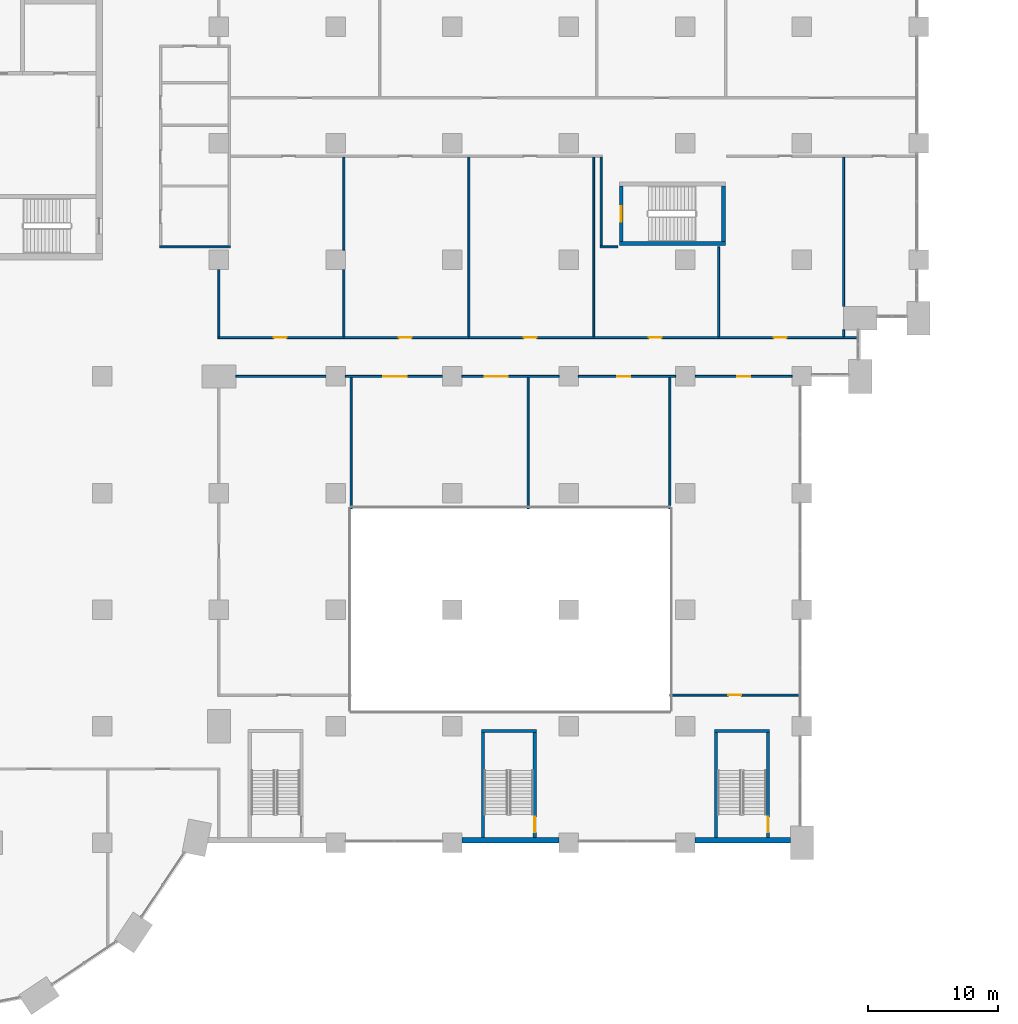
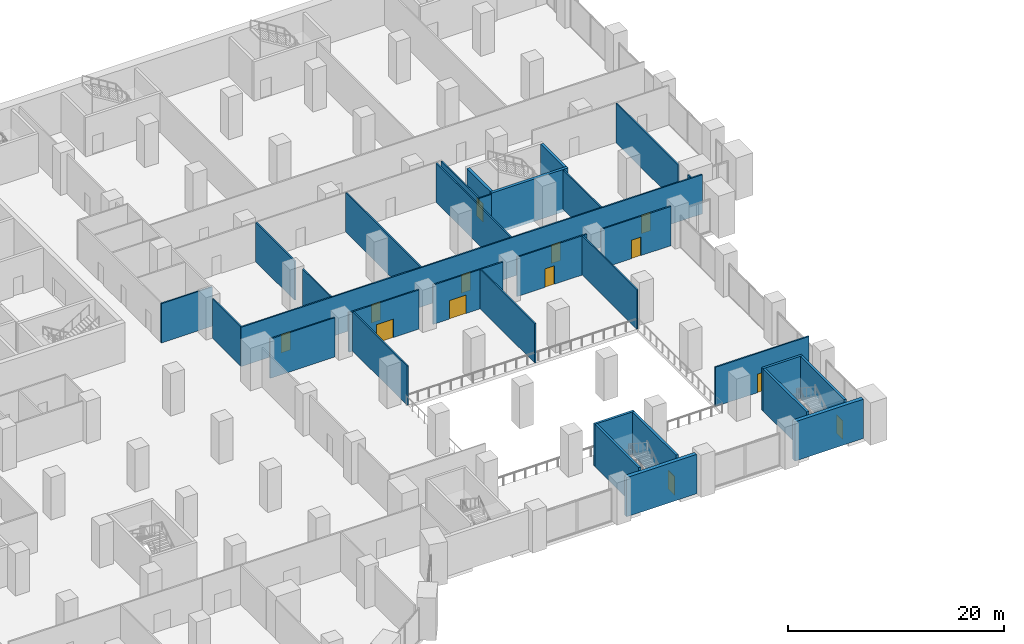
# One storey, part 25 of 49: 32 walls, 13 doors, 13 openings.
"""IFC4 building model written with IfcOpenShell, lengths in metres."""

from ifc_helpers import new_model, si_unit, direction, frame, frame_2d, origin, place, context, subcontext, project, spatial, rectangle, extrude, material, layer, layer_set, type_object, element, fill, save


model = new_model("IFC4")

# Units and contexts
model_context = context("Model", 3, precision=1e-05, world=origin(), true_north=direction((0.0, 1.0)))
body_context = subcontext(model_context, "Body", "Model", "MODEL_VIEW")
ifc_project = project(units=[si_unit("LENGTHUNIT", "METRE"), si_unit("AREAUNIT", "SQUARE_METRE"), si_unit("VOLUMEUNIT", "CUBIC_METRE"), si_unit("PLANEANGLEUNIT", "RADIAN"), si_unit("MASSUNIT", "GRAM", prefix="KILO")], contexts=[model_context])

# Site, building, storey
site_placement = place(None, origin())
site = spatial("IfcSite", under=ifc_project, at=site_placement, CompositionType="ELEMENT")
building_placement = place(site_placement, origin())
building = spatial("IfcBuilding", under=site, at=building_placement, Name="Hunhe Ridgeline Campus", CompositionType="ELEMENT")
storey_placement = place(building_placement, frame((0.0, 0.0, 21.60009765625)))
storey = spatial("IfcBuildingStorey", under=building, at=storey_placement, Name="L04", CompositionType="ELEMENT", Elevation=21.60009765625)

# Walls
ifc_material_1 = material(Name="Plastered blockwork", Category="masonry")
ifc_layer_1 = layer(ifc_material_1, 0.14990234375)
ifc_layer_set_1 = layer_set([ifc_layer_1], Name="Blockwork partition 150")
wall_type_1 = type_object("IfcWallType", Name="Blockwork partition 150", PredefinedType="PARTITIONING", material=ifc_layer_set_1)
wall_1_placement = place(storey_placement, frame((45.875, 64.0, 0.0), z_axis=(0.0, 0.0, 1.0), x_axis=(-1.0, 0.0, 0.0)))
element("IfcWall", 1, at=wall_1_placement, inside=storey, type_object=wall_type_1, Name="L04 partition", PredefinedType="PARTITIONING", context=body_context, shape_type="SweptSolid", body=[
    extrude(rectangle(XDim=5.449951171875, YDim=0.14990234375, at=frame_2d((2.72509765625, 0.0))), origin(), (0.0, 0.0, 1.0), 4.449951171875),
])
wall_2_placement = place(storey_placement, frame((74.425048828125, 64.0, 0.0), z_axis=(0.0, 0.0, 1.0), x_axis=(1.0, 0.0, 0.0)))
element("IfcWall", 2, at=wall_2_placement, inside=storey, type_object=wall_type_1, Name="L04 partition", PredefinedType="PARTITIONING", context=body_context, shape_type="SweptSolid", body=[
    extrude(rectangle(XDim=1.375, YDim=0.14990234375, at=frame_2d((0.6875, 0.0))), origin(), (0.0, 0.0, 1.0), 4.449951171875),
])
wall_3_placement = place(storey_placement, frame((55.199951171875, 43.800048828125, 0.0), z_axis=(0.0, 0.0, 1.0), x_axis=(0.0, 1.0, 0.0)))
element("IfcWall", 3, at=wall_3_placement, inside=storey, type_object=wall_type_1, Name="L04 partition", PredefinedType="PARTITIONING", context=body_context, shape_type="SweptSolid", body=[
    extrude(rectangle(XDim=10.125, YDim=0.14990234375, at=frame_2d((5.0625, 0.0))), origin(), (0.0, 0.0, 1.0), 4.449951171875),
])

# Wall, opening, door
wall_4_placement = place(storey_placement, frame((89.820068359375, 29.39990234375, 0.0), z_axis=(0.0, 0.0, 1.0), x_axis=(-1.0, 0.0, 0.0)))
wall_4 = element("IfcWall", 4, at=wall_4_placement, inside=storey, type_object=wall_type_1, Name="L04 partition", PredefinedType="PARTITIONING", context=body_context, shape_type="SweptSolid", body=[
    extrude(rectangle(XDim=10.02001953125, YDim=0.14990234375, at=frame_2d((5.010009765625, 0.0))), origin(), (0.0, 0.0, 1.0), 4.449951171875),
])
opening_1_placement = place(wall_4_placement, frame((4.52001953125, 0.0, 0.0)))
opening_1 = element("IfcOpeningElement", 5, at=opening_1_placement, cuts=wall_4, Name="Opening PD510", PredefinedType="OPENING", context=body_context, shape_type="SweptSolid", body=[
    extrude(rectangle(XDim=1.0, YDim=2.10009765625, at=frame_2d((0.5, 1.050048828125))), frame((0.0, 0.074951171875, 0.0), z_axis=(0.0, -1.0, 0.0), x_axis=(1.0, 0.0, 0.0)), (0.0, 0.0, 1.0), 0.14990234375),
])
ifc_material_2 = material(Name="Timber", Category="wood")
door_type_1 = type_object("IfcDoorType", Name="Podium timber door 1000x2100", OperationType="NOTDEFINED", PredefinedType="DOOR", material=ifc_material_2)
door_1_placement = place(opening_1_placement, origin())
door_1 = element("IfcDoor", 6, at=door_1_placement, inside=storey, type_object=door_type_1, Name="Closed Stacks door", OperationType="SINGLE_SWING_RIGHT", OverallHeight=2.10009765625, OverallWidth=1.0, PredefinedType="DOOR", context=body_context, shape_type="SweptSolid", body=[
    extrude(rectangle(XDim=1.0, YDim=2.10009765625, at=frame_2d((0.5, 1.050048828125))), frame((0.0, 0.02490234375, 0.0), z_axis=(0.0, -1.0, 0.0), x_axis=(1.0, 0.0, 0.0)), (0.0, 0.0, 1.0), 0.050048828125),
])
fill(opening_1, door_1)

# Walls
wall_5_placement = place(storey_placement, frame((45.0, 57.074951171875, 0.0), z_axis=(0.0, 0.0, 1.0), x_axis=(0.0, 1.0, 0.0)))
element("IfcWall", 7, at=wall_5_placement, inside=storey, type_object=wall_type_1, Name="L04 partition", PredefinedType="PARTITIONING", context=body_context, shape_type="SweptSolid", body=[
    extrude(rectangle(XDim=5.175048828125, YDim=0.14990234375, at=frame_2d((2.58740234375, 0.0))), origin(), (0.0, 0.0, 1.0), 4.449951171875),
])
wall_6_placement = place(storey_placement, frame((46.300048828125, 54.0, 0.0), z_axis=(0.0, 0.0, 1.0), x_axis=(1.0, 0.0, 0.0)))
element("IfcWall", 8, at=wall_6_placement, inside=storey, type_object=wall_type_1, Name="L04 partition", PredefinedType="PARTITIONING", context=body_context, shape_type="SweptSolid", body=[
    extrude(rectangle(XDim=6.949951171875, YDim=0.14990234375, at=frame_2d((3.47509765625, 0.0))), origin(), (0.0, 0.0, 1.0), 4.449951171875),
])

# Wall, opening, door
wall_7_placement = place(storey_placement, frame((54.75, 54.0, 0.0), z_axis=(0.0, 0.0, 1.0), x_axis=(1.0, 0.0, 0.0)))
wall_7 = element("IfcWall", 9, at=wall_7_placement, inside=storey, type_object=wall_type_1, Name="L04 partition", PredefinedType="PARTITIONING", context=body_context, shape_type="SweptSolid", body=[
    extrude(rectangle(XDim=7.5, YDim=0.14990234375, at=frame_2d((3.75, 0.0))), origin(), (0.0, 0.0, 1.0), 4.449951171875),
])
opening_2_placement = place(wall_7_placement, frame((2.949951171875, 0.0, 0.0)))
opening_2 = element("IfcOpeningElement", 10, at=opening_2_placement, cuts=wall_7, Name="Opening PD512", PredefinedType="OPENING", context=body_context, shape_type="SweptSolid", body=[
    extrude(rectangle(XDim=1.800048828125, YDim=2.10009765625, at=frame_2d((0.89990234375, 1.050048828125))), frame((0.0, 0.074951171875, 0.0), z_axis=(0.0, -1.0, 0.0), x_axis=(1.0, 0.0, 0.0)), (0.0, 0.0, 1.0), 0.14990234375),
])
door_type_2 = type_object("IfcDoorType", Name="Podium timber double door 1800x2100", OperationType="NOTDEFINED", PredefinedType="DOOR", material=ifc_material_2)
door_2_placement = place(opening_2_placement, origin())
door_2 = element("IfcDoor", 11, at=door_2_placement, inside=storey, type_object=door_type_2, Name="Special Collections Reading Room door", OperationType="DOUBLE_DOOR_SINGLE_SWING", OverallHeight=2.10009765625, OverallWidth=1.800048828125, PredefinedType="DOOR", context=body_context, shape_type="SweptSolid", body=[
    extrude(rectangle(XDim=1.800048828125, YDim=2.10009765625, at=frame_2d((0.89990234375, 1.050048828125))), frame((0.0, 0.02490234375, 0.0), z_axis=(0.0, -1.0, 0.0), x_axis=(1.0, 0.0, 0.0)), (0.0, 0.0, 1.0), 0.050048828125),
])
fill(opening_2, door_2)

wall_8_placement = place(storey_placement, frame((63.75, 54.0, 0.0), z_axis=(0.0, 0.0, 1.0), x_axis=(1.0, 0.0, 0.0)))
wall_8 = element("IfcWall", 12, at=wall_8_placement, inside=storey, type_object=wall_type_1, Name="L04 partition", PredefinedType="PARTITIONING", context=body_context, shape_type="SweptSolid", body=[
    extrude(rectangle(XDim=7.5, YDim=0.14990234375, at=frame_2d((3.75, 0.0))), origin(), (0.0, 0.0, 1.0), 4.449951171875),
])
opening_3_placement = place(wall_8_placement, frame((1.75, 0.0, 0.0)))
opening_3 = element("IfcOpeningElement", 13, at=opening_3_placement, cuts=wall_8, Name="Opening PD513", PredefinedType="OPENING", context=body_context, shape_type="SweptSolid", body=[
    extrude(rectangle(XDim=1.800048828125, YDim=2.10009765625, at=frame_2d((0.89990234375, 1.050048828125))), frame((0.0, 0.074951171875, 0.0), z_axis=(0.0, -1.0, 0.0), x_axis=(1.0, 0.0, 0.0)), (0.0, 0.0, 1.0), 0.14990234375),
])
door_3_placement = place(opening_3_placement, origin())
door_3 = element("IfcDoor", 14, at=door_3_placement, inside=storey, type_object=door_type_2, Name="Special Collections Reading Room door", OperationType="DOUBLE_DOOR_SINGLE_SWING", OverallHeight=2.10009765625, OverallWidth=1.800048828125, PredefinedType="DOOR", context=body_context, shape_type="SweptSolid", body=[
    extrude(rectangle(XDim=1.800048828125, YDim=2.10009765625, at=frame_2d((0.89990234375, 1.050048828125))), frame((0.0, 0.02490234375, 0.0), z_axis=(0.0, -1.0, 0.0), x_axis=(1.0, 0.0, 0.0)), (0.0, 0.0, 1.0), 0.050048828125),
])
fill(opening_3, door_3)

wall_9_placement = place(storey_placement, frame((72.75, 54.0, 0.0), z_axis=(0.0, 0.0, 1.0), x_axis=(1.0, 0.0, 0.0)))
wall_9 = element("IfcWall", 15, at=wall_9_placement, inside=storey, type_object=wall_type_1, Name="L04 partition", PredefinedType="PARTITIONING", context=body_context, shape_type="SweptSolid", body=[
    extrude(rectangle(XDim=7.5, YDim=0.14990234375, at=frame_2d((3.75, 0.0))), origin(), (0.0, 0.0, 1.0), 4.449951171875),
])
opening_4_placement = place(wall_9_placement, frame((3.0, 0.0, 0.0)))
opening_4 = element("IfcOpeningElement", 16, at=opening_4_placement, cuts=wall_9, Name="Opening PD514", PredefinedType="OPENING", context=body_context, shape_type="SweptSolid", body=[
    extrude(rectangle(XDim=1.0, YDim=2.10009765625, at=frame_2d((0.5, 1.050048828125))), frame((0.0, 0.074951171875, 0.0), z_axis=(0.0, -1.0, 0.0), x_axis=(1.0, 0.0, 0.0)), (0.0, 0.0, 1.0), 0.14990234375),
])
door_4_placement = place(opening_4_placement, origin())
door_4 = element("IfcDoor", 17, at=door_4_placement, inside=storey, type_object=door_type_1, Name="Conservation Studio door", OperationType="SINGLE_SWING_LEFT", OverallHeight=2.10009765625, OverallWidth=1.0, PredefinedType="DOOR", context=body_context, shape_type="SweptSolid", body=[
    extrude(rectangle(XDim=1.0, YDim=2.10009765625, at=frame_2d((0.5, 1.050048828125))), frame((0.0, 0.02490234375, 0.0), z_axis=(0.0, -1.0, 0.0), x_axis=(1.0, 0.0, 0.0)), (0.0, 0.0, 1.0), 0.050048828125),
])
fill(opening_4, door_4)

wall_10_placement = place(storey_placement, frame((81.75, 54.0, 0.0), z_axis=(0.0, 0.0, 1.0), x_axis=(1.0, 0.0, 0.0)))
wall_10 = element("IfcWall", 18, at=wall_10_placement, inside=storey, type_object=wall_type_1, Name="L04 partition", PredefinedType="PARTITIONING", context=body_context, shape_type="SweptSolid", body=[
    extrude(rectangle(XDim=7.5, YDim=0.14990234375, at=frame_2d((3.75, 0.0))), origin(), (0.0, 0.0, 1.0), 4.449951171875),
])
opening_5_placement = place(wall_10_placement, frame((3.25, 0.0, 0.0)))
opening_5 = element("IfcOpeningElement", 19, at=opening_5_placement, cuts=wall_10, Name="Opening PD511", PredefinedType="OPENING", context=body_context, shape_type="SweptSolid", body=[
    extrude(rectangle(XDim=1.0, YDim=2.10009765625, at=frame_2d((0.5, 1.050048828125))), frame((0.0, 0.074951171875, 0.0), z_axis=(0.0, -1.0, 0.0), x_axis=(1.0, 0.0, 0.0)), (0.0, 0.0, 1.0), 0.14990234375),
])
door_5_placement = place(opening_5_placement, origin())
door_5 = element("IfcDoor", 20, at=door_5_placement, inside=storey, type_object=door_type_1, Name="Closed Stacks door", OperationType="SINGLE_SWING_RIGHT", OverallHeight=2.10009765625, OverallWidth=1.0, PredefinedType="DOOR", context=body_context, shape_type="SweptSolid", body=[
    extrude(rectangle(XDim=1.0, YDim=2.10009765625, at=frame_2d((0.5, 1.050048828125))), frame((0.0, 0.02490234375, 0.0), z_axis=(0.0, -1.0, 0.0), x_axis=(1.0, 0.0, 0.0)), (0.0, 0.0, 1.0), 0.050048828125),
])
fill(opening_5, door_5)

# Walls
for number, where, z_axis, x_axis, name in (
    (21, (79.800048828125, 43.800048828125, 0.0), (0.0, 0.0, 1.0), (0.0, 1.0, 0.0), "L04 partition"),
    (22, (68.866943359375, 43.800048828125, 0.0), (0.0, 0.0, 1.0), (0.0, 1.0, 0.0), "L04 partition"),
):
    element("IfcWall", number, at=place(storey_placement, frame(where, z_axis=z_axis, x_axis=x_axis)), inside=storey, type_object=wall_type_1, Name=name, PredefinedType="PARTITIONING", context=body_context, shape_type="SweptSolid", body=[
        extrude(rectangle(XDim=10.125, YDim=0.14990234375, at=frame_2d((5.0625, 0.0))), origin(), (0.0, 0.0, 1.0), 4.449951171875),
    ])
wall_11_placement = place(storey_placement, frame((54.64306640625, 57.074951171875, 0.0), z_axis=(0.0, 0.0, 1.0), x_axis=(0.0, 1.0, 0.0)))
element("IfcWall", 23, at=wall_11_placement, inside=storey, type_object=wall_type_1, Name="L04 partition", PredefinedType="PARTITIONING", context=body_context, shape_type="SweptSolid", body=[
    extrude(rectangle(XDim=5.175048828125, YDim=0.14990234375, at=frame_2d((2.58740234375, 0.0))), origin(), (0.0, 0.0, 1.0), 4.449951171875),
])
wall_12_placement = place(storey_placement, frame((54.64306640625, 63.75, 0.0), z_axis=(0.0, 0.0, 1.0), x_axis=(0.0, 1.0, 0.0)))
element("IfcWall", 24, at=wall_12_placement, inside=storey, type_object=wall_type_1, Name="L04 partition", PredefinedType="PARTITIONING", context=body_context, shape_type="SweptSolid", body=[
    extrude(rectangle(XDim=7.175048828125, YDim=0.14990234375, at=frame_2d((3.58740234375, 0.0))), origin(), (0.0, 0.0, 1.0), 4.449951171875),
])

# Wall, openings, doors
wall_13_placement = place(storey_placement, frame((94.320068359375, 57.0, 0.0), z_axis=(0.0, 0.0, 1.0), x_axis=(-1.0, 0.0, 0.0)))
wall_13 = element("IfcWall", 25, at=wall_13_placement, inside=storey, type_object=wall_type_1, Name="L04 partition", PredefinedType="PARTITIONING", context=body_context, shape_type="SweptSolid", body=[
    extrude(rectangle(XDim=49.39501953125, YDim=0.14990234375, at=frame_2d((24.697509765625, 0.0))), origin(), (0.0, 0.0, 1.0), 4.449951171875),
])
opening_6_placement = place(wall_13_placement, frame((44.070068359375, 0.0, 0.0)))
opening_6 = element("IfcOpeningElement", 26, at=opening_6_placement, cuts=wall_13, Name="Opening PD522", PredefinedType="OPENING", context=body_context, shape_type="SweptSolid", body=[
    extrude(rectangle(XDim=1.0, YDim=2.10009765625, at=frame_2d((0.5, 1.050048828125))), frame((0.0, 0.074951171875, 0.0), z_axis=(0.0, -1.0, 0.0), x_axis=(1.0, 0.0, 0.0)), (0.0, 0.0, 1.0), 0.14990234375),
])
opening_7_placement = place(wall_13_placement, frame((34.427001953125, 0.0, 0.0)))
opening_7 = element("IfcOpeningElement", 27, at=opening_7_placement, cuts=wall_13, Name="Opening PD524", PredefinedType="OPENING", context=body_context, shape_type="SweptSolid", body=[
    extrude(rectangle(XDim=1.0, YDim=2.10009765625, at=frame_2d((0.5, 1.050048828125))), frame((0.0, 0.074951171875, 0.0), z_axis=(0.0, -1.0, 0.0), x_axis=(1.0, 0.0, 0.0)), (0.0, 0.0, 1.0), 0.14990234375),
])
opening_8_placement = place(wall_13_placement, frame((24.783935546875, 0.0, 0.0)))
opening_8 = element("IfcOpeningElement", 28, at=opening_8_placement, cuts=wall_13, Name="Opening PD526", PredefinedType="OPENING", context=body_context, shape_type="SweptSolid", body=[
    extrude(rectangle(XDim=1.0, YDim=2.10009765625, at=frame_2d((0.5, 1.050048828125))), frame((0.0, 0.074951171875, 0.0), z_axis=(0.0, -1.0, 0.0), x_axis=(1.0, 0.0, 0.0)), (0.0, 0.0, 1.0), 0.14990234375),
])
opening_9_placement = place(wall_13_placement, frame((15.14111328125, 0.0, 0.0)))
opening_9 = element("IfcOpeningElement", 29, at=opening_9_placement, cuts=wall_13, Name="Opening PD528", PredefinedType="OPENING", context=body_context, shape_type="SweptSolid", body=[
    extrude(rectangle(XDim=1.0, YDim=2.10009765625, at=frame_2d((0.5, 1.050048828125))), frame((0.0, 0.074951171875, 0.0), z_axis=(0.0, -1.0, 0.0), x_axis=(1.0, 0.0, 0.0)), (0.0, 0.0, 1.0), 0.14990234375),
])
opening_10_placement = place(wall_13_placement, frame((5.4990234375, 0.0, 0.0)))
opening_10 = element("IfcOpeningElement", 30, at=opening_10_placement, cuts=wall_13, Name="Opening PD529", PredefinedType="OPENING", context=body_context, shape_type="SweptSolid", body=[
    extrude(rectangle(XDim=1.0, YDim=2.10009765625, at=frame_2d((0.5, 1.050048828125))), frame((0.0, 0.074951171875, 0.0), z_axis=(0.0, -1.0, 0.0), x_axis=(1.0, 0.0, 0.0)), (0.0, 0.0, 1.0), 0.14990234375),
])
door_6_placement = place(opening_6_placement, origin())
door_6 = element("IfcDoor", 31, at=door_6_placement, inside=storey, type_object=door_type_1, Name="Closed Stacks door", OperationType="SINGLE_SWING_RIGHT", OverallHeight=2.10009765625, OverallWidth=1.0, PredefinedType="DOOR", context=body_context, shape_type="SweptSolid", body=[
    extrude(rectangle(XDim=1.0, YDim=2.10009765625, at=frame_2d((0.5, 1.050048828125))), frame((0.0, 0.02490234375, 0.0), z_axis=(0.0, -1.0, 0.0), x_axis=(1.0, 0.0, 0.0)), (0.0, 0.0, 1.0), 0.050048828125),
])
fill(opening_6, door_6)
door_7_placement = place(opening_7_placement, origin())
door_7 = element("IfcDoor", 32, at=door_7_placement, inside=storey, type_object=door_type_1, Name="Closed Stacks door", OperationType="SINGLE_SWING_RIGHT", OverallHeight=2.10009765625, OverallWidth=1.0, PredefinedType="DOOR", context=body_context, shape_type="SweptSolid", body=[
    extrude(rectangle(XDim=1.0, YDim=2.10009765625, at=frame_2d((0.5, 1.050048828125))), frame((0.0, 0.02490234375, 0.0), z_axis=(0.0, -1.0, 0.0), x_axis=(1.0, 0.0, 0.0)), (0.0, 0.0, 1.0), 0.050048828125),
])
fill(opening_7, door_7)
door_8_placement = place(opening_8_placement, origin())
door_8 = element("IfcDoor", 33, at=door_8_placement, inside=storey, type_object=door_type_1, Name="Closed Stacks door", OperationType="SINGLE_SWING_RIGHT", OverallHeight=2.10009765625, OverallWidth=1.0, PredefinedType="DOOR", context=body_context, shape_type="SweptSolid", body=[
    extrude(rectangle(XDim=1.0, YDim=2.10009765625, at=frame_2d((0.5, 1.050048828125))), frame((0.0, 0.02490234375, 0.0), z_axis=(0.0, -1.0, 0.0), x_axis=(1.0, 0.0, 0.0)), (0.0, 0.0, 1.0), 0.050048828125),
])
fill(opening_8, door_8)
door_9_placement = place(opening_9_placement, origin())
door_9 = element("IfcDoor", 34, at=door_9_placement, inside=storey, type_object=door_type_1, Name="Rare Books Archive Store door", OperationType="SINGLE_SWING_LEFT", OverallHeight=2.10009765625, OverallWidth=1.0, PredefinedType="DOOR", context=body_context, shape_type="SweptSolid", body=[
    extrude(rectangle(XDim=1.0, YDim=2.10009765625, at=frame_2d((0.5, 1.050048828125))), frame((0.0, 0.02490234375, 0.0), z_axis=(0.0, -1.0, 0.0), x_axis=(1.0, 0.0, 0.0)), (0.0, 0.0, 1.0), 0.050048828125),
])
fill(opening_9, door_9)
door_10_placement = place(opening_10_placement, origin())
door_10 = element("IfcDoor", 35, at=door_10_placement, inside=storey, type_object=door_type_1, Name="Preservation Laboratory door", OperationType="SINGLE_SWING_LEFT", OverallHeight=2.10009765625, OverallWidth=1.0, PredefinedType="DOOR", context=body_context, shape_type="SweptSolid", body=[
    extrude(rectangle(XDim=1.0, YDim=2.10009765625, at=frame_2d((0.5, 1.050048828125))), frame((0.0, 0.02490234375, 0.0), z_axis=(0.0, -1.0, 0.0), x_axis=(1.0, 0.0, 0.0)), (0.0, 0.0, 1.0), 0.050048828125),
])
fill(opening_10, door_10)

# Walls
for number, where, z_axis, x_axis, name in (
    (36, (64.285888671875, 57.074951171875, 0.0), (0.0, 0.0, 1.0), (0.0, 1.0, 0.0), "L04 partition"),
    (37, (73.928955078125, 57.074951171875, 0.0), (0.0, 0.0, 1.0), (0.0, 1.0, 0.0), "L04 partition"),
):
    element("IfcWall", number, at=place(storey_placement, frame(where, z_axis=z_axis, x_axis=x_axis)), inside=storey, type_object=wall_type_1, Name=name, PredefinedType="PARTITIONING", context=body_context, shape_type="SweptSolid", body=[
        extrude(rectangle(XDim=13.85009765625, YDim=0.14990234375, at=frame_2d((6.925048828125, 0.0))), origin(), (0.0, 0.0, 1.0), 4.449951171875),
    ])
wall_14_placement = place(storey_placement, frame((83.571044921875, 57.074951171875, 0.0), z_axis=(0.0, 0.0, 1.0), x_axis=(0.0, 1.0, 0.0)))
element("IfcWall", 38, at=wall_14_placement, inside=storey, type_object=wall_type_1, Name="L04 partition", PredefinedType="PARTITIONING", context=body_context, shape_type="SweptSolid", body=[
    extrude(rectangle(XDim=6.925048828125, YDim=0.14990234375, at=frame_2d((3.46240234375, 0.0))), origin(), (0.0, 0.0, 1.0), 4.449951171875),
])
wall_15_placement = place(storey_placement, frame((74.5, 70.925048828125, 0.0), z_axis=(0.0, 0.0, 1.0), x_axis=(0.0, -1.0, 0.0)))
element("IfcWall", 39, at=wall_15_placement, inside=storey, type_object=wall_type_1, Name="L04 partition", PredefinedType="PARTITIONING", context=body_context, shape_type="SweptSolid", body=[
    extrude(rectangle(XDim=6.85009765625, YDim=0.14990234375, at=frame_2d((3.425048828125, 0.0))), origin(), (0.0, 0.0, 1.0), 4.449951171875),
])
wall_16_placement = place(storey_placement, frame((93.214111328125, 57.074951171875, 0.0), z_axis=(0.0, 0.0, 1.0), x_axis=(0.0, 1.0, 0.0)))
element("IfcWall", 40, at=wall_16_placement, inside=storey, type_object=wall_type_1, Name="L04 partition", PredefinedType="PARTITIONING", context=body_context, shape_type="SweptSolid", body=[
    extrude(rectangle(XDim=0.525146484375, YDim=0.14990234375, at=frame_2d((0.2626953125, 0.0))), origin(), (0.0, 0.0, 1.0), 4.449951171875),
])
wall_17_placement = place(storey_placement, frame((93.214111328125, 59.39990234375, 0.0), z_axis=(0.0, 0.0, 1.0), x_axis=(0.0, 1.0, 0.0)))
element("IfcWall", 41, at=wall_17_placement, inside=storey, type_object=wall_type_1, Name="L04 partition", PredefinedType="PARTITIONING", context=body_context, shape_type="SweptSolid", body=[
    extrude(rectangle(XDim=11.525146484375, YDim=0.14990234375, at=frame_2d((5.7626953125, 0.0))), origin(), (0.0, 0.0, 1.0), 4.449951171875),
])
ifc_material_3 = material(Name="Concrete C40", Category="concrete")
ifc_layer_2 = layer(ifc_material_3, 0.39990234375)
ifc_layer_set_2 = layer_set([ifc_layer_2], Name="Stair shaft facade wall 400 C40")
wall_type_2 = type_object("IfcWallType", Name="Stair shaft facade wall 400 C40", PredefinedType="SOLIDWALL", material=ifc_layer_set_2)
wall_18_placement = place(storey_placement, frame((71.25, 18.199951171875, 0.0), z_axis=(0.0, 0.0, 1.0), x_axis=(-1.0, 0.0, 0.0)))
element("IfcWall", 42, at=wall_18_placement, inside=storey, type_object=wall_type_2, Name="L04 stair facade wall", PredefinedType="SOLIDWALL", context=body_context, shape_type="SweptSolid", body=[
    extrude(rectangle(XDim=7.5, YDim=0.39990234375, at=frame_2d((3.75, 0.0))), origin(), (0.0, 0.0, 1.0), 4.449951171875),
])
wall_19_placement = place(storey_placement, frame((89.10009765625, 18.199951171875, 0.0), z_axis=(0.0, 0.0, 1.0), x_axis=(-1.0, 0.0, 0.0)))
element("IfcWall", 43, at=wall_19_placement, inside=storey, type_object=wall_type_2, Name="L04 stair facade wall", PredefinedType="SOLIDWALL", context=body_context, shape_type="SweptSolid", body=[
    extrude(rectangle(XDim=7.35009765625, YDim=0.39990234375, at=frame_2d((3.675048828125, 0.0))), origin(), (0.0, 0.0, 1.0), 4.449951171875),
])
ifc_layer_3 = layer(ifc_material_3, 0.25)
ifc_layer_set_3 = layer_set([ifc_layer_3], Name="Stair shaft wall 250 C40")
wall_type_3 = type_object("IfcWallType", Name="Stair shaft wall 250 C40", PredefinedType="SOLIDWALL", material=ifc_layer_set_3)
wall_20_placement = place(storey_placement, frame((65.375, 18.39990234375, 0.0), z_axis=(0.0, 0.0, 1.0), x_axis=(0.0, 1.0, 0.0)))
element("IfcWall", 44, at=wall_20_placement, inside=storey, type_object=wall_type_3, Name="L04 PS2 shaft wall", PredefinedType="SOLIDWALL", context=body_context, shape_type="SweptSolid", body=[
    extrude(rectangle(XDim=8.10009765625, YDim=0.25, at=frame_2d((4.050048828125, 0.0))), origin(), (0.0, 0.0, 1.0), 4.7998046875),
])

# Wall, opening, door
wall_21_placement = place(storey_placement, frame((69.375, 26.5, 0.0), z_axis=(0.0, 0.0, 1.0), x_axis=(0.0, -1.0, 0.0)))
wall_21 = element("IfcWall", 45, at=wall_21_placement, inside=storey, type_object=wall_type_3, Name="L04 PS2 shaft wall", PredefinedType="SOLIDWALL", context=body_context, shape_type="SweptSolid", body=[
    extrude(rectangle(XDim=8.10009765625, YDim=0.25, at=frame_2d((4.050048828125, 0.0))), origin(), (0.0, 0.0, 1.0), 4.7998046875),
])
opening_11_placement = place(wall_21_placement, frame((6.5, 0.0, 0.0)))
opening_11 = element("IfcOpeningElement", 46, at=opening_11_placement, cuts=wall_21, Name="Opening PD502", PredefinedType="OPENING", context=body_context, shape_type="SweptSolid", body=[
    extrude(rectangle(XDim=1.199951171875, YDim=2.10009765625, at=frame_2d((0.60009765625, 1.050048828125))), frame((0.0, 0.125, 0.0), z_axis=(0.0, -1.0, 0.0), x_axis=(1.0, 0.0, 0.0)), (0.0, 0.0, 1.0), 0.25),
])
ifc_material_4 = material(Name="Steel Q235", Category="steel")
door_type_3 = type_object("IfcDoorType", Name="Podium fire door 1200x2100 FD60", OperationType="NOTDEFINED", PredefinedType="DOOR", material=ifc_material_4)
door_11_placement = place(opening_11_placement, origin())
door_11 = element("IfcDoor", 47, at=door_11_placement, inside=storey, type_object=door_type_3, Name="Stair door PS2", OperationType="SINGLE_SWING_LEFT", OverallHeight=2.10009765625, OverallWidth=1.199951171875, PredefinedType="DOOR", context=body_context, shape_type="SweptSolid", body=[
    extrude(rectangle(XDim=1.199951171875, YDim=2.10009765625, at=frame_2d((0.60009765625, 1.050048828125))), frame((0.0, 0.02490234375, 0.0), z_axis=(0.0, -1.0, 0.0), x_axis=(1.0, 0.0, 0.0)), (0.0, 0.0, 1.0), 0.050048828125),
])
fill(opening_11, door_11)

# Walls
wall_22_placement = place(storey_placement, frame((65.25, 26.625, 0.0), z_axis=(0.0, 0.0, 1.0), x_axis=(1.0, 0.0, 0.0)))
element("IfcWall", 48, at=wall_22_placement, inside=storey, type_object=wall_type_3, Name="L04 PS2 shaft wall", PredefinedType="SOLIDWALL", context=body_context, shape_type="SweptSolid", body=[
    extrude(rectangle(XDim=4.25, YDim=0.25, at=frame_2d((2.125, 0.0))), origin(), (0.0, 0.0, 1.0), 4.7998046875),
])
wall_23_placement = place(storey_placement, frame((83.375, 18.39990234375, 0.0), z_axis=(0.0, 0.0, 1.0), x_axis=(0.0, 1.0, 0.0)))
element("IfcWall", 49, at=wall_23_placement, inside=storey, type_object=wall_type_3, Name="L04 PS3 shaft wall", PredefinedType="SOLIDWALL", context=body_context, shape_type="SweptSolid", body=[
    extrude(rectangle(XDim=8.10009765625, YDim=0.25, at=frame_2d((4.050048828125, 0.0))), origin(), (0.0, 0.0, 1.0), 4.7998046875),
])

# Wall, opening, door
wall_24_placement = place(storey_placement, frame((87.375, 26.5, 0.0), z_axis=(0.0, 0.0, 1.0), x_axis=(0.0, -1.0, 0.0)))
wall_24 = element("IfcWall", 50, at=wall_24_placement, inside=storey, type_object=wall_type_3, Name="L04 PS3 shaft wall", PredefinedType="SOLIDWALL", context=body_context, shape_type="SweptSolid", body=[
    extrude(rectangle(XDim=8.10009765625, YDim=0.25, at=frame_2d((4.050048828125, 0.0))), origin(), (0.0, 0.0, 1.0), 4.7998046875),
])
opening_12_placement = place(wall_24_placement, frame((6.5, 0.0, 0.0)))
opening_12 = element("IfcOpeningElement", 51, at=opening_12_placement, cuts=wall_24, Name="Opening PD503", PredefinedType="OPENING", context=body_context, shape_type="SweptSolid", body=[
    extrude(rectangle(XDim=1.199951171875, YDim=2.10009765625, at=frame_2d((0.60009765625, 1.050048828125))), frame((0.0, 0.125, 0.0), z_axis=(0.0, -1.0, 0.0), x_axis=(1.0, 0.0, 0.0)), (0.0, 0.0, 1.0), 0.25),
])
door_12_placement = place(opening_12_placement, origin())
door_12 = element("IfcDoor", 52, at=door_12_placement, inside=storey, type_object=door_type_3, Name="Stair door PS3", OperationType="SINGLE_SWING_LEFT", OverallHeight=2.10009765625, OverallWidth=1.199951171875, PredefinedType="DOOR", context=body_context, shape_type="SweptSolid", body=[
    extrude(rectangle(XDim=1.199951171875, YDim=2.10009765625, at=frame_2d((0.60009765625, 1.050048828125))), frame((0.0, 0.02490234375, 0.0), z_axis=(0.0, -1.0, 0.0), x_axis=(1.0, 0.0, 0.0)), (0.0, 0.0, 1.0), 0.050048828125),
])
fill(opening_12, door_12)

# Walls
wall_25_placement = place(storey_placement, frame((83.25, 26.625, 0.0), z_axis=(0.0, 0.0, 1.0), x_axis=(1.0, 0.0, 0.0)))
element("IfcWall", 53, at=wall_25_placement, inside=storey, type_object=wall_type_3, Name="L04 PS3 shaft wall", PredefinedType="SOLIDWALL", context=body_context, shape_type="SweptSolid", body=[
    extrude(rectangle(XDim=4.25, YDim=0.25, at=frame_2d((2.125, 0.0))), origin(), (0.0, 0.0, 1.0), 4.7998046875),
])
ifc_material_5 = material(Name="Concrete C80", Category="concrete")
ifc_layer_4 = layer(ifc_material_5, 0.300048828125)
ifc_layer_set_4 = layer_set([ifc_layer_4], Name="Stair wall 300 reinforced concrete C80")
wall_type_4 = type_object("IfcWallType", Name="Stair wall 300 reinforced concrete C80", PredefinedType="SOLIDWALL", material=ifc_layer_set_4)
wall_26_placement = place(storey_placement, frame((75.89990234375, 64.25, -0.35009765625), z_axis=(0.0, 0.0, 1.0), x_axis=(1.0, 0.0, 0.0)))
element("IfcWall", 54, at=wall_26_placement, inside=storey, type_object=wall_type_4, Name="L04 core wall 8", PredefinedType="SOLIDWALL", context=body_context, shape_type="SweptSolid", body=[
    extrude(rectangle(XDim=8.2001953125, YDim=0.300048828125, at=frame_2d((4.10009765625, 0.0))), origin(), (0.0, 0.0, 1.0), 4.800048828125),
])

# Wall, opening, door
wall_27_placement = place(storey_placement, frame((76.050048828125, 64.39990234375, -0.35009765625), z_axis=(0.0, 0.0, 1.0), x_axis=(0.0, 1.0, 0.0)))
wall_27 = element("IfcWall", 55, at=wall_27_placement, inside=storey, type_object=wall_type_4, Name="L04 core wall 71", PredefinedType="SOLIDWALL", context=body_context, shape_type="SweptSolid", body=[
    extrude(rectangle(XDim=4.300048828125, YDim=0.300048828125, at=frame_2d((2.14990234375, 0.0))), origin(), (0.0, 0.0, 1.0), 4.800048828125),
])
opening_13_placement = place(wall_27_placement, frame((1.550048828125, 0.0, 0.35009765625)))
opening_13 = element("IfcOpeningElement", 56, at=opening_13_placement, cuts=wall_27, Name="Opening CD24", PredefinedType="OPENING", context=body_context, shape_type="SweptSolid", body=[
    extrude(rectangle(XDim=1.199951171875, YDim=2.10009765625, at=frame_2d((0.60009765625, 1.050048828125))), frame((0.0, 0.14990234375, 0.0), z_axis=(0.0, -1.0, 0.0), x_axis=(1.0, 0.0, 0.0)), (0.0, 0.0, 1.0), 0.300048828125),
])
ifc_material_6 = material(Name="Hollow metal fire door leaf")
door_type_4 = type_object("IfcDoorType", Name="Stair door 1200x2100 FD60", OperationType="SINGLE_SWING_LEFT", PredefinedType="DOOR", material=ifc_material_6)
door_13_placement = place(opening_13_placement, origin())
door_13 = element("IfcDoor", 57, at=door_13_placement, inside=storey, type_object=door_type_4, Name="L04 door E5", OperationType="SINGLE_SWING_RIGHT", OverallHeight=2.10009765625, OverallWidth=1.199951171875, PredefinedType="DOOR", context=body_context, shape_type="SweptSolid", body=[
    extrude(rectangle(XDim=1.199951171875, YDim=2.10009765625, at=frame_2d((0.60009765625, 1.050048828125))), frame((0.0, 0.02490234375, 0.0), z_axis=(0.0, -1.0, 0.0), x_axis=(1.0, 0.0, 0.0)), (0.0, 0.0, 1.0), 0.050048828125),
])
fill(opening_13, door_13)

# Wall
wall_28_placement = place(storey_placement, frame((83.949951171875, 64.39990234375, -0.35009765625), z_axis=(0.0, 0.0, 1.0), x_axis=(0.0, 1.0, 0.0)))
element("IfcWall", 58, at=wall_28_placement, inside=storey, type_object=wall_type_4, Name="L04 core wall 72", PredefinedType="SOLIDWALL", context=body_context, shape_type="SweptSolid", body=[
    extrude(rectangle(XDim=4.300048828125, YDim=0.300048828125, at=frame_2d((2.14990234375, 0.0))), origin(), (0.0, 0.0, 1.0), 4.800048828125),
])

save(model, "model.ifc")
